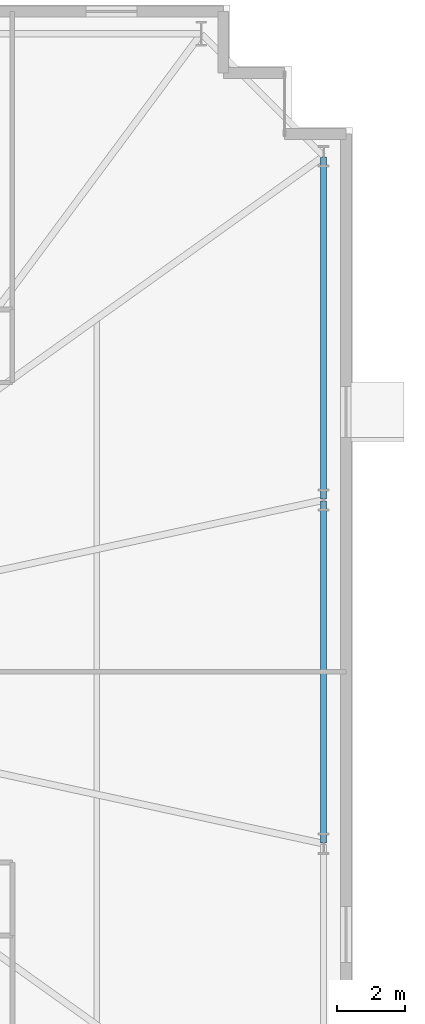
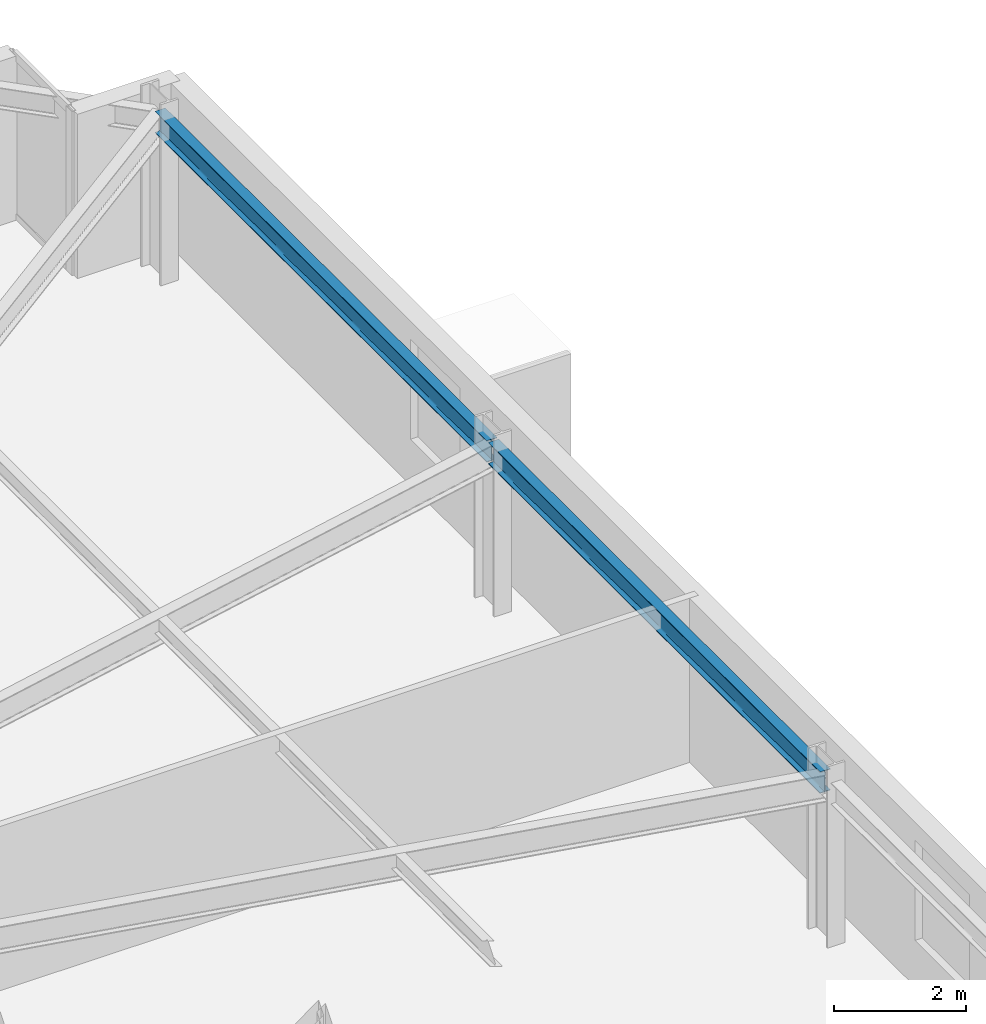
# One storey, part 11 of 20: 2 beams.
"""IFC4 building model written with IfcOpenShell, lengths in metres."""

from ifc_helpers import new_model, si_unit, direction, frame, origin, origin_2d, place, context, subcontext, project, spatial, i_section, extrude, material, material_profile, profile_set, type_object, element, save


model = new_model("IFC4")

# Units and contexts
model_context = context("Model", 3, precision=1e-05, world=origin(), true_north=direction((0.0, 1.0)))
body_context = subcontext(model_context, "Body", "Model", "MODEL_VIEW")
ifc_project = project(units=[si_unit("LENGTHUNIT", "METRE"), si_unit("AREAUNIT", "SQUARE_METRE"), si_unit("VOLUMEUNIT", "CUBIC_METRE"), si_unit("PLANEANGLEUNIT", "RADIAN"), si_unit("MASSUNIT", "GRAM", prefix="KILO")], contexts=[model_context])

# Site, building, storey
site_placement = place(None, origin())
site = spatial("IfcSite", under=ifc_project, at=site_placement, CompositionType="ELEMENT")
building_placement = place(site_placement, origin())
building = spatial("IfcBuilding", under=site, at=building_placement, Name="Qobustan Lattice House", CompositionType="ELEMENT")
storey_placement = place(building_placement, frame((0.0, 0.0, 67.199951171875)))
storey = spatial("IfcBuildingStorey", under=building, at=storey_placement, Name="L18", CompositionType="ELEMENT", Elevation=67.199951171875)

# Beams
ifc_material = material(Name="Steel S355", Category="steel")
ifc_material_profile = material_profile(ifc_material, i_section(OverallWidth=0.179931640625, OverallDepth=0.39990234375, WebThickness=0.008544921875, FlangeThickness=0.013427734375, FilletRadius=0.02099609375, at=origin_2d()), Name="IPE400")
ifc_profile_set = profile_set([ifc_material_profile], Name="Steel S355")
beam_type = type_object("IfcBeamType", Name="BM-SPD-IPE400", PredefinedType="SPANDREL", material=ifc_profile_set)
beam_1_placement = place(storey_placement, frame((32.14990234375, -5.02490234375, 2.8349609375), z_axis=(0.0, 1.0, 0.0), x_axis=(-1.0, 0.0, 0.0)))
element("IfcBeam", 1, at=beam_1_placement, inside=storey, type_object=beam_type, Name="L18 perimeter spandrel E2-E3", PredefinedType="SPANDREL", context=body_context, shape_type="SweptSolid", body=[
    extrude(i_section(OverallWidth=0.179931640625, OverallDepth=0.39990234375, WebThickness=0.008544921875, FlangeThickness=0.013427734375, FilletRadius=0.02099609375, at=origin_2d()), origin(), (0.0, 0.0, 1.0), 10.0498046875),
])
beam_2_placement = place(storey_placement, frame((32.14990234375, 5.074951171875, 2.8349609375), z_axis=(0.0, 1.0, 0.0), x_axis=(-1.0, 0.0, 0.0)))
element("IfcBeam", 2, at=beam_2_placement, inside=storey, type_object=beam_type, Name="L18 perimeter spandrel E3-E4", PredefinedType="SPANDREL", context=body_context, shape_type="SweptSolid", body=[
    extrude(i_section(OverallWidth=0.179931640625, OverallDepth=0.39990234375, WebThickness=0.008544921875, FlangeThickness=0.013427734375, FilletRadius=0.02099609375, at=origin_2d()), origin(), (0.0, 0.0, 1.0), 10.050048828125),
])

save(model, "model.ifc")
